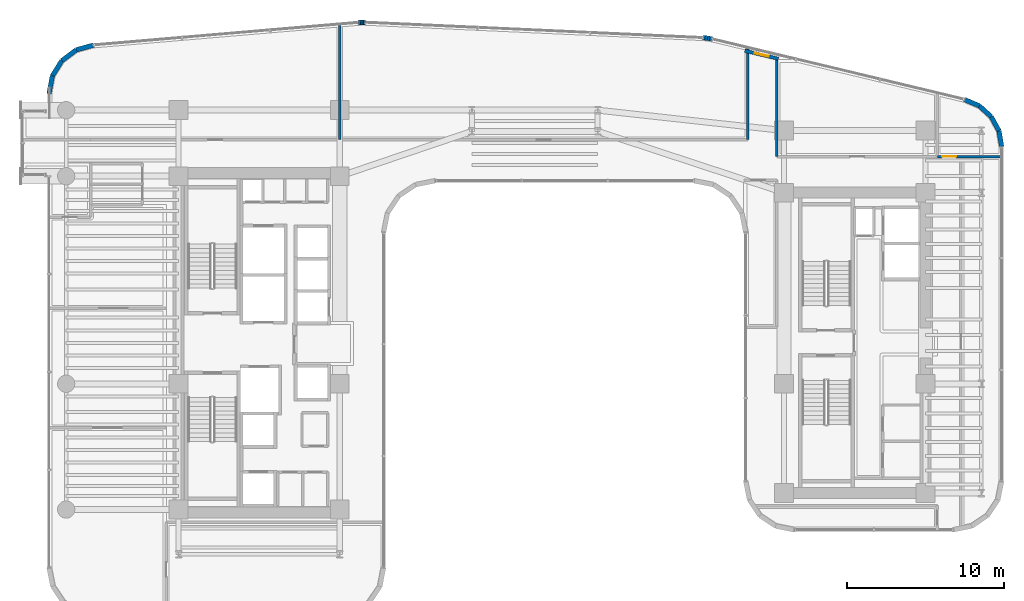
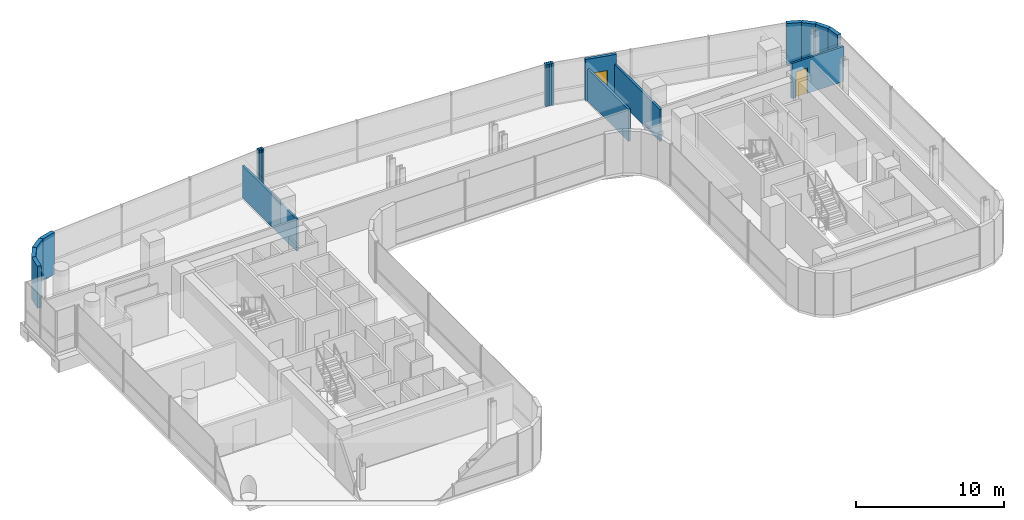
# One storey, part 30 of 35: 21 walls, 1 door, 1 window, 2 openings.
"""IFC4 building model written with IfcOpenShell, lengths in metres."""

from ifc_helpers import new_model, si_unit, direction, frame, frame_2d, origin, place, context, subcontext, project, spatial, rectangle, extrude, material, layer, layer_set, type_object, element, fill, save


model = new_model("IFC4")

# Units and contexts
model_context = context("Model", 3, precision=1e-05, world=origin(), true_north=direction((0.0, 1.0)))
body_context = subcontext(model_context, "Body", "Model", "MODEL_VIEW")
ifc_project = project(units=[si_unit("LENGTHUNIT", "METRE"), si_unit("AREAUNIT", "SQUARE_METRE"), si_unit("VOLUMEUNIT", "CUBIC_METRE"), si_unit("PLANEANGLEUNIT", "RADIAN"), si_unit("MASSUNIT", "GRAM", prefix="KILO")], contexts=[model_context])

# Site, building, storey
site_placement = place(None, origin())
site = spatial("IfcSite", under=ifc_project, at=site_placement, CompositionType="ELEMENT")
building_placement = place(site_placement, origin())
building = spatial("IfcBuilding", under=site, at=building_placement, Name="Valdorenza Pilgrim Sanctuary Tower", CompositionType="ELEMENT")
storey_placement = place(building_placement, frame((0.0, 0.0, 124.199951171875)))
storey = spatial("IfcBuildingStorey", under=building, at=storey_placement, Name="L31", CompositionType="ELEMENT", Elevation=124.199951171875)

# Walls
ifc_material_1 = material(Name="Acoustic twin-stud gypsum partition", Category="gypsum")
ifc_layer_1 = layer(ifc_material_1, 0.159912109375, Name="Acoustic twin-stud gypsum partition")
ifc_layer_set_1 = layer_set([ifc_layer_1], Name="Acoustic twin-stud gypsum partition")
wall_type_1 = type_object("IfcWallType", Name="WAL-COR-160", PredefinedType="PARTITIONING", material=ifc_layer_set_1)
wall_1_placement = place(storey_placement, frame((13.550048828125, 12.919921875, 0.0), z_axis=(0.0, 0.0, 1.0), x_axis=(0.0, 1.0, 0.0)))
element("IfcWall", 1, at=wall_1_placement, inside=storey, type_object=wall_type_1, Name="L31 North Band East Closure", PredefinedType="PARTITIONING", context=body_context, shape_type="SweptSolid", body=[
    extrude(rectangle(XDim=5.856689453125, YDim=0.159912109375, at=frame_2d((2.92822265625, 0.0))), origin(), (0.0, 0.0, 1.0), 2.666015625),
])
wall_2_placement = place(storey_placement, frame((15.39990234375, 11.85009765625, 0.0), z_axis=(0.0, 0.0, 1.0), x_axis=(0.0, 1.0, 0.0)))
element("IfcWall", 2, at=wall_2_placement, inside=storey, type_object=wall_type_1, Name="L31 Wing B North West Wall", PredefinedType="PARTITIONING", context=body_context, shape_type="SweptSolid", body=[
    extrude(rectangle(XDim=6.14990234375, YDim=0.159912109375, at=frame_2d((3.074951171875, 0.0))), origin(), (0.0, 0.0, 1.0), 2.666015625),
])

# Wall, opening, door
wall_3_placement = place(storey_placement, frame((25.60009765625, 11.85009765625, 0.0), z_axis=(0.0, 0.0, 1.0), x_axis=(1.0, 0.0, 0.0)))
wall_3 = element("IfcWall", 3, at=wall_3_placement, inside=storey, type_object=wall_type_1, Name="L31 East Wing NE Corner South Wall", PredefinedType="PARTITIONING", context=body_context, shape_type="SweptSolid", body=[
    extrude(rectangle(XDim=4.08984375, YDim=0.159912109375, at=frame_2d((2.044921875, 0.0))), origin(), (0.0, 0.0, 1.0), 2.89599609375),
])
opening_1_placement = place(wall_3_placement, frame((0.300048828125, 0.0, 0.0)))
opening_1 = element("IfcOpeningElement", 4, at=opening_1_placement, cuts=wall_3, Name="Opening DR-RM1", PredefinedType="OPENING", context=body_context, shape_type="SweptSolid", body=[
    extrude(rectangle(XDim=0.89990234375, YDim=2.10009765625, at=frame_2d((0.449951171875, 1.050048828125))), frame((0.0, 0.0947265625, 0.0), z_axis=(0.0, -1.0, 0.0), x_axis=(1.0, 0.0, 0.0)), (0.0, 0.0, 1.0), 0.189697265625),
])
ifc_material_2 = material(Name="Solid-core European oak timber", Category="wood")
door_type = type_object("IfcDoorType", Name="DR-ROOM-900", OperationType="NOTDEFINED", PredefinedType="DOOR", material=ifc_material_2)
door_placement = place(opening_1_placement, origin())
door = element("IfcDoor", 5, at=door_placement, inside=storey, type_object=door_type, Name="L31 East North Alcove Office L31 Door", OperationType="SINGLE_SWING_RIGHT", OverallHeight=2.10009765625, OverallWidth=0.89990234375, PredefinedType="DOOR", context=body_context, shape_type="SweptSolid", body=[
    extrude(rectangle(XDim=0.89990234375, YDim=2.10009765625, at=frame_2d((0.449951171875, 1.050048828125))), frame((0.0, 0.02490234375, 0.0), z_axis=(0.0, -1.0, 0.0), x_axis=(1.0, 0.0, 0.0)), (0.0, 0.0, 1.0), 0.050048828125),
])
fill(opening_1, door)

# Walls
ifc_material_3 = material(Name="Honed travertine limestone", Category="masonry")
ifc_layer_2 = layer(ifc_material_3, 0.300048828125, Name="Honed travertine limestone")
ifc_layer_set_2 = layer_set([ifc_layer_2], Name="Honed travertine limestone")
wall_type_2 = type_object("IfcWallType", Name="WAL-EXT-300", PredefinedType="SOLIDWALL", material=ifc_layer_set_2)
wall_4_placement = place(storey_placement, frame((-30.889892578125, 15.850341796875, 0.0), z_axis=(0.0, 0.0, 1.0), x_axis=(0.184557499391, 0.982821718023, 0.0)))
element("IfcWall", 6, at=wall_4_placement, inside=storey, type_object=wall_type_2, Name="L31 Rounded Wind-Corner Stone Pier 2", PredefinedType="SOLIDWALL", context=body_context, shape_type="SweptSolid", body=[
    extrude(rectangle(XDim=1.15087890625, YDim=0.300048828125, at=frame_2d((0.575439453125, 0.0))), origin(), (0.0, 0.0, 1.0), 3.4599609375),
])
wall_5_placement = place(storey_placement, frame((-30.677490234375, 16.9814453125, 0.0), z_axis=(0.0, 0.0, 1.0), x_axis=(0.52880576008, 0.848742875143, 0.0)))
element("IfcWall", 7, at=wall_5_placement, inside=storey, type_object=wall_type_2, Name="L31 Rounded Wind-Corner Stone Pier 3", PredefinedType="SOLIDWALL", context=body_context, shape_type="SweptSolid", body=[
    extrude(rectangle(XDim=1.140869140625, YDim=0.300048828125, at=frame_2d((0.5703125, 0.0))), origin(), (0.0, 0.0, 1.0), 3.4599609375),
])
wall_6_placement = place(storey_placement, frame((-30.07421875, 17.94970703125, 0.0), z_axis=(0.0, 0.0, 1.0), x_axis=(0.800975009324, 0.598697782223, 0.0)))
element("IfcWall", 8, at=wall_6_placement, inside=storey, type_object=wall_type_2, Name="L31 Rounded Wind-Corner Stone Pier 4", PredefinedType="SOLIDWALL", context=body_context, shape_type="SweptSolid", body=[
    extrude(rectangle(XDim=1.140625, YDim=0.300048828125, at=frame_2d((0.5703125, 0.0))), origin(), (0.0, 0.0, 1.0), 3.4599609375),
])
wall_7_placement = place(storey_placement, frame((-29.16064453125, 18.632568359375, 0.0), z_axis=(0.0, 0.0, 1.0), x_axis=(0.963624193367, 0.267260947313, 0.0)))
element("IfcWall", 9, at=wall_7_placement, inside=storey, type_object=wall_type_2, Name="L31 Rounded Wind-Corner Stone Pier 5", PredefinedType="SOLIDWALL", context=body_context, shape_type="SweptSolid", body=[
    extrude(rectangle(XDim=1.15087890625, YDim=0.300048828125, at=frame_2d((0.575439453125, 0.0))), origin(), (0.0, 0.0, 1.0), 3.4599609375),
])
wall_8_placement = place(storey_placement, frame((-11.199462890625, 20.37255859375, 0.0), z_axis=(0.0, 0.0, 1.0), x_axis=(0.997567332166, 0.069709524416, 0.0)))
element("IfcWall", 10, at=wall_8_placement, inside=storey, type_object=wall_type_2, Name="L31 Rounded Wind-Corner Stone Pier 7", PredefinedType="SOLIDWALL", context=body_context, shape_type="SweptSolid", body=[
    extrude(rectangle(XDim=0.1015625, YDim=0.300048828125, at=frame_2d((0.05078125, 0.0))), origin(), (0.0, 0.0, 1.0), 3.4599609375),
])
wall_9_placement = place(storey_placement, frame((-11.09814453125, 20.379638671875, 0.0), z_axis=(0.0, 0.0, 1.0), x_axis=(0.999334672785, 0.03647206835, 0.0)))
element("IfcWall", 11, at=wall_9_placement, inside=storey, type_object=wall_type_2, Name="L31 Rounded Wind-Corner Stone Pier 8", PredefinedType="SOLIDWALL", context=body_context, shape_type="SweptSolid", body=[
    extrude(rectangle(XDim=0.100341796875, YDim=0.300048828125, at=frame_2d((0.05029296875, 0.0))), origin(), (0.0, 0.0, 1.0), 3.4599609375),
])
wall_10_placement = place(storey_placement, frame((-10.997802734375, 20.38330078125, 0.0), z_axis=(0.0, 0.0, 1.0), x_axis=(0.999997054401, 0.002427177317, 0.0)))
element("IfcWall", 12, at=wall_10_placement, inside=storey, type_object=wall_type_2, Name="L31 Rounded Wind-Corner Stone Pier 9", PredefinedType="SOLIDWALL", context=body_context, shape_type="SweptSolid", body=[
    extrude(rectangle(XDim=0.1005859375, YDim=0.300048828125, at=frame_2d((0.05029296875, 0.0))), origin(), (0.0, 0.0, 1.0), 3.4599609375),
])
wall_11_placement = place(storey_placement, frame((-10.897216796875, 20.383544921875, 0.0), z_axis=(0.0, 0.0, 1.0), x_axis=(0.999584209171, -0.02883415988, 0.0)))
element("IfcWall", 13, at=wall_11_placement, inside=storey, type_object=wall_type_2, Name="L31 Rounded Wind-Corner Stone Pier 10", PredefinedType="SOLIDWALL", context=body_context, shape_type="SweptSolid", body=[
    extrude(rectangle(XDim=0.1015625, YDim=0.300048828125, at=frame_2d((0.05078125, 0.0))), origin(), (0.0, 0.0, 1.0), 3.4599609375),
])
wall_12_placement = place(storey_placement, frame((10.68994140625, 19.404052734375, 0.0), z_axis=(0.0, 0.0, 1.0), x_axis=(0.99758310784, -0.069483400546, 0.0)))
element("IfcWall", 14, at=wall_12_placement, inside=storey, type_object=wall_type_2, Name="L31 Rounded Wind-Corner Stone Pier 12", PredefinedType="SOLIDWALL", context=body_context, shape_type="SweptSolid", body=[
    extrude(rectangle(XDim=0.1474609375, YDim=0.300048828125, at=frame_2d((0.07373046875, 0.0))), origin(), (0.0, 0.0, 1.0), 3.4599609375),
])
for number, where, z_axis, x_axis, name in (
    (15, (10.837158203125, 19.393798828125, 0.0), (0.0, 0.0, 1.0), (0.993173334962, -0.116647874912, 0.0), "L31 Rounded Wind-Corner Stone Pier 13"),
    (16, (10.982666015625, 19.376708984375, 0.0), (0.0, 0.0, 1.0), (0.986573494681, -0.163317909592, 0.0), "L31 Rounded Wind-Corner Stone Pier 14"),
):
    element("IfcWall", number, at=place(storey_placement, frame(where, z_axis=z_axis, x_axis=x_axis)), inside=storey, type_object=wall_type_2, Name=name, PredefinedType="SOLIDWALL", context=body_context, shape_type="SweptSolid", body=[
        extrude(rectangle(XDim=0.146484375, YDim=0.300048828125, at=frame_2d((0.0732421875, 0.0))), origin(), (0.0, 0.0, 1.0), 3.4599609375),
    ])
wall_13_placement = place(storey_placement, frame((11.127197265625, 19.352783203125, 0.0), z_axis=(0.0, 0.0, 1.0), x_axis=(0.978019841688, -0.208511844421, 0.0)))
element("IfcWall", 17, at=wall_13_placement, inside=storey, type_object=wall_type_2, Name="L31 Rounded Wind-Corner Stone Pier 15", PredefinedType="SOLIDWALL", context=body_context, shape_type="SweptSolid", body=[
    extrude(rectangle(XDim=0.1474609375, YDim=0.300048828125, at=frame_2d((0.07373046875, 0.0))), origin(), (0.0, 0.0, 1.0), 3.4599609375),
])

# Wall, opening, window
wall_14_placement = place(storey_placement, frame((13.355224609375, 18.576416015625, 0.0), z_axis=(0.0, 0.0, 1.0), x_axis=(0.97252211384, -0.232810519721, 0.0)))
wall_14 = element("IfcWall", 18, at=wall_14_placement, inside=storey, type_object=wall_type_2, Name="L31 Operable Ventilation Sash Jamb Pier", PredefinedType="SOLIDWALL", context=body_context, shape_type="SweptSolid", body=[
    extrude(rectangle(XDim=2.2001953125, YDim=0.219970703125, at=frame_2d((1.10009765625, 0.0))), origin(), (0.0, 0.0, 1.0), 3.4599609375),
])
opening_2_placement = place(wall_14_placement, frame((0.64990234375, 0.0, 0.949951171875)))
opening_2 = element("IfcOpeningElement", 19, at=opening_2_placement, cuts=wall_14, Name="Opening WN-OP1", PredefinedType="OPENING", context=body_context, shape_type="SweptSolid", body=[
    extrude(rectangle(XDim=0.89990234375, YDim=1.300048828125, at=frame_2d((0.449951171875, 0.64990234375))), frame((0.0, 0.125, 0.0), z_axis=(0.0, -1.0, 0.0), x_axis=(1.0, 0.0, 0.0)), (0.0, 0.0, 1.0), 0.249755859375),
])
ifc_material_4 = material(Name="Ceramic-fritted low-E IGU glazing", Category="glass")
window_type = type_object("IfcWindowType", Name="WIN-OPN-900", PartitioningType="SINGLE_PANEL", PredefinedType="WINDOW", material=ifc_material_4)
window_placement = place(opening_2_placement, origin())
window = element("IfcWindow", 20, at=window_placement, inside=storey, type_object=window_type, Name="L31 Parallel-Pop-Out Operable Facade Panel", OverallHeight=1.300048828125, OverallWidth=0.89990234375, PartitioningType="SINGLE_PANEL", PredefinedType="WINDOW", context=body_context, shape_type="SweptSolid", body=[
    extrude(rectangle(XDim=0.89990234375, YDim=1.300048828125, at=frame_2d((0.449951171875, 0.64990234375))), frame((0.0, 0.030029296875, 0.0), z_axis=(0.0, -1.0, 0.0), x_axis=(1.0, 0.0, 0.0)), (0.0, 0.0, 1.0), 0.06005859375),
])
fill(opening_2, window)

# Walls
wall_15_placement = place(storey_placement, frame((27.310302734375, 15.48291015625, 0.0), z_axis=(0.0, 0.0, 1.0), x_axis=(0.920250328759, -0.391330208927, 0.0)))
element("IfcWall", 21, at=wall_15_placement, inside=storey, type_object=wall_type_2, Name="L31 Rounded Wind-Corner Stone Pier 17", PredefinedType="SOLIDWALL", context=body_context, shape_type="SweptSolid", body=[
    extrude(rectangle(XDim=1.0361328125, YDim=0.300048828125, at=frame_2d((0.51806640625, 0.0))), origin(), (0.0, 0.0, 1.0), 3.4599609375),
])
wall_16_placement = place(storey_placement, frame((28.263916015625, 15.077392578125, 0.0), z_axis=(0.0, 0.0, 1.0), x_axis=(0.741208839713, -0.671274501178, 0.0)))
element("IfcWall", 22, at=wall_16_placement, inside=storey, type_object=wall_type_2, Name="L31 Rounded Wind-Corner Stone Pier 18", PredefinedType="SOLIDWALL", context=body_context, shape_type="SweptSolid", body=[
    extrude(rectangle(XDim=1.0263671875, YDim=0.300048828125, at=frame_2d((0.51318359375, 0.0))), origin(), (0.0, 0.0, 1.0), 3.4599609375),
])
wall_17_placement = place(storey_placement, frame((29.024658203125, 14.388427734375, 0.0), z_axis=(0.0, 0.0, 1.0), x_axis=(0.480284137298, -0.87711296163, 0.0)))
element("IfcWall", 23, at=wall_17_placement, inside=storey, type_object=wall_type_2, Name="L31 Rounded Wind-Corner Stone Pier 19", PredefinedType="SOLIDWALL", context=body_context, shape_type="SweptSolid", body=[
    extrude(rectangle(XDim=1.02685546875, YDim=0.300048828125, at=frame_2d((0.513427734375, 0.0))), origin(), (0.0, 0.0, 1.0), 3.4599609375),
])
wall_18_placement = place(storey_placement, frame((29.517822265625, 13.48779296875, 0.0), z_axis=(0.0, 0.0, 1.0), x_axis=(0.166156796952, -0.986099345313, 0.0)))
element("IfcWall", 24, at=wall_18_placement, inside=storey, type_object=wall_type_2, Name="L31 Rounded Wind-Corner Stone Pier 20", PredefinedType="SOLIDWALL", context=body_context, shape_type="SweptSolid", body=[
    extrude(rectangle(XDim=1.035888671875, YDim=0.300048828125, at=frame_2d((0.51806640625, 0.0))), origin(), (0.0, 0.0, 1.0), 3.4599609375),
])
ifc_layer_3 = layer(ifc_material_1, 0.14990234375, Name="Acoustic twin-stud gypsum partition")
ifc_layer_set_3 = layer_set([ifc_layer_3], Name="Acoustic twin-stud gypsum partition")
wall_type_3 = type_object("IfcWallType", Name="WAL-UNT-150", PredefinedType="PARTITIONING", material=ifc_layer_set_3)
wall_19_placement = place(storey_placement, frame((-12.39990234375, 12.919921875, 0.0), z_axis=(0.0, 0.0, 1.0), x_axis=(0.0, 1.0, 0.0)))
element("IfcWall", 25, at=wall_19_placement, inside=storey, type_object=wall_type_3, Name="L31 North Grid Office Wall 1", PredefinedType="PARTITIONING", context=body_context, shape_type="SweptSolid", body=[
    extrude(rectangle(XDim=7.3505859375, YDim=0.14990234375, at=frame_2d((3.67529296875, 0.0))), origin(), (0.0, 0.0, 1.0), 2.666015625),
])

save(model, "model.ifc")
